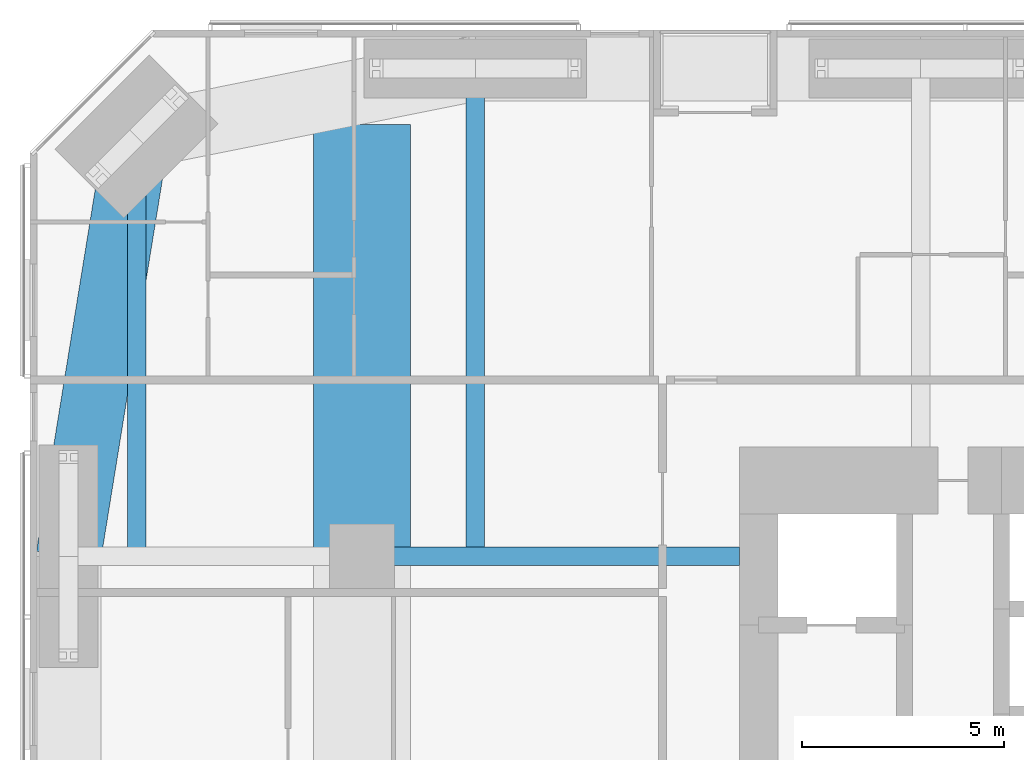
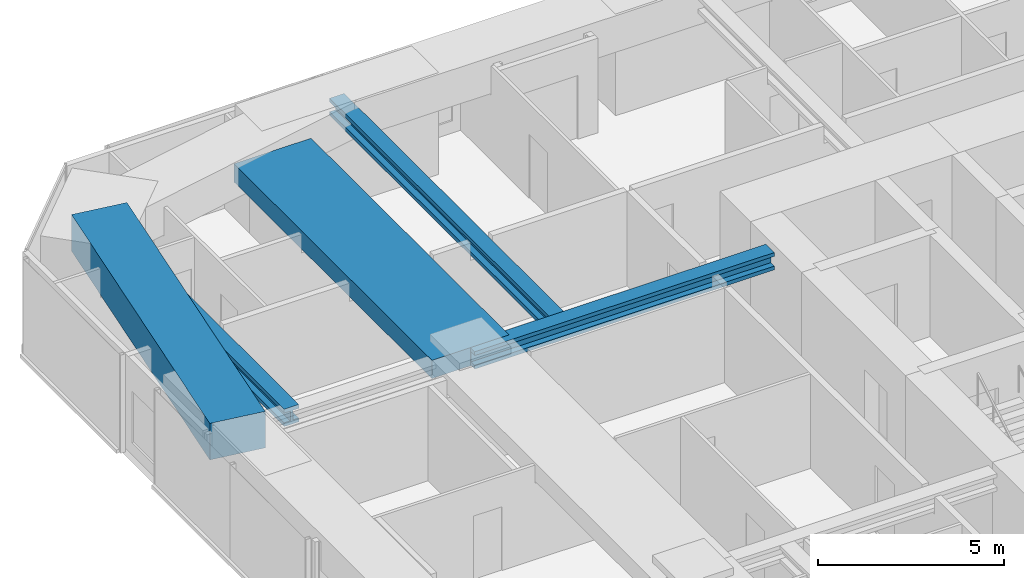
# One storey, part 8 of 24: 5 beams.
"""IFC4 building model written with IfcOpenShell, lengths in metres."""

from ifc_helpers import new_model, si_unit, direction, frame, origin, origin_2d, place, context, subcontext, project, spatial, rectangle, i_section, extrude, material, material_profile, profile_set, type_object, element, save


model = new_model("IFC4")

# Units and contexts
model_context = context("Model", 3, precision=1e-05, world=origin(), true_north=direction((0.0, 1.0)))
body_context = subcontext(model_context, "Body", "Model", "MODEL_VIEW")
ifc_project = project(units=[si_unit("LENGTHUNIT", "METRE"), si_unit("AREAUNIT", "SQUARE_METRE"), si_unit("VOLUMEUNIT", "CUBIC_METRE"), si_unit("PLANEANGLEUNIT", "RADIAN"), si_unit("MASSUNIT", "GRAM", prefix="KILO")], contexts=[model_context])

# Site, building, storey
site_placement = place(None, origin())
site = spatial("IfcSite", under=ifc_project, at=site_placement, CompositionType="ELEMENT")
building_placement = place(site_placement, origin())
building = spatial("IfcBuilding", under=site, at=building_placement, Name="Jalousie Tower", CompositionType="ELEMENT")
storey_placement = place(building_placement, frame((0.0, 0.0, 61.199951171875)))
storey = spatial("IfcBuildingStorey", under=building, at=storey_placement, Name="L16", CompositionType="ELEMENT", Elevation=61.199951171875)

# Beams
ifc_material_1 = material(Name="Steel ASTM A992 Grade 50", Category="steel")
ifc_material_profile_1 = material_profile(ifc_material_1, i_section(OverallWidth=0.45458984375, OverallDepth=0.569091796875, WebThickness=0.077880859375, FlangeThickness=0.124755859375, at=origin_2d()), Name="W14X730")
ifc_profile_set_1 = profile_set([ifc_material_profile_1], Name="Steel ASTM A992 Grade 50")
beam_type_1 = type_object("IfcBeamType", Name="LEAN COLLECTOR W14X730", PredefinedType="BEAM", material=ifc_profile_set_1)
beam_1_placement = place(storey_placement, frame((10.199951171875, 25.0, 2.825439453125), z_axis=(1.0, 0.0, 0.0), x_axis=(0.0, 1.0, 0.0)))
element("IfcBeam", 1, at=beam_1_placement, inside=storey, type_object=beam_type_1, Name="Lean collector under L17", PredefinedType="BEAM", context=body_context, shape_type="SweptSolid", body=[
    extrude(i_section(OverallWidth=0.45458984375, OverallDepth=0.569091796875, WebThickness=0.077880859375, FlangeThickness=0.124755859375, at=origin_2d()), origin(), (0.0, 0.0, 1.0), 9.324951171875),
])
beam_2_placement = place(storey_placement, frame((4.63134765625, 35.36865234375, 2.825439453125), z_axis=(0.0, -1.0, 0.0), x_axis=(1.0, 0.0, 0.0)))
element("IfcBeam", 2, at=beam_2_placement, inside=storey, type_object=beam_type_1, Name="Lean collector under L17", PredefinedType="BEAM", context=body_context, shape_type="SweptSolid", body=[
    extrude(i_section(OverallWidth=0.45458984375, OverallDepth=0.569091796875, WebThickness=0.077880859375, FlangeThickness=0.124755859375, at=origin_2d()), origin(), (0.0, 0.0, 1.0), 10.36865234375),
])
beam_3_placement = place(storey_placement, frame((13.0, 37.050048828125, 2.825439453125), z_axis=(0.0, -1.0, 0.0), x_axis=(1.0, 0.0, 0.0)))
element("IfcBeam", 3, at=beam_3_placement, inside=storey, type_object=beam_type_1, Name="Lean collector under L17", PredefinedType="BEAM", context=body_context, shape_type="SweptSolid", body=[
    extrude(i_section(OverallWidth=0.45458984375, OverallDepth=0.569091796875, WebThickness=0.077880859375, FlangeThickness=0.124755859375, at=origin_2d()), origin(), (0.0, 0.0, 1.0), 12.050048828125),
])
ifc_material_2 = material(Name="Concrete f'c 40 MPa", Category="concrete")
ifc_material_profile_2 = material_profile(ifc_material_2, rectangle(XDim=1.60009765625, YDim=1.199951171875, at=origin_2d()), Name="RC 1600x1200")
ifc_profile_set_2 = profile_set([ifc_material_profile_2], Name="Concrete f'c 40 MPa")
beam_type_2 = type_object("IfcBeamType", Name="RC BEAM 1600x1200", PredefinedType="BEAM", material=ifc_profile_set_2)
beam_4_placement = place(storey_placement, frame((4.63134765625, 35.36865234375, 2.75), z_axis=(-0.160070546476, -0.987105577003, 0.0), x_axis=(0.987105577003, -0.160070546476, 0.0)))
element("IfcBeam", 4, at=beam_4_placement, inside=storey, type_object=beam_type_2, Name="Edge band beam 12-13 under L17", PredefinedType="BEAM", context=body_context, shape_type="SweptSolid", body=[
    extrude(rectangle(XDim=1.60009765625, YDim=1.199951171875, at=origin_2d()), origin(), (0.0, 0.0, 1.0), 10.504150390625),
])
ifc_material_3 = material(Name="Concrete f'c 40 MPa", Category="concrete")
ifc_material_profile_3 = material_profile(ifc_material_3, rectangle(XDim=2.39990234375, YDim=0.60009765625, at=origin_2d()), Name="RC 2400x600")
ifc_profile_set_3 = profile_set([ifc_material_profile_3], Name="Concrete f'c 40 MPa")
beam_type_3 = type_object("IfcBeamType", Name="RC BEAM 2400x600", PredefinedType="BEAM", material=ifc_profile_set_3)
beam_5_placement = place(storey_placement, frame((10.199951171875, 25.0, 2.81005859375), z_axis=(0.0, 1.0, 0.0), x_axis=(-1.0, 0.0, 0.0)))
element("IfcBeam", 5, at=beam_5_placement, inside=storey, type_object=beam_type_3, Name="Floor band beam under L17", PredefinedType="BEAM", context=body_context, shape_type="SweptSolid", body=[
    extrude(rectangle(XDim=2.39990234375, YDim=0.60009765625, at=origin_2d()), origin(), (0.0, 0.0, 1.0), 10.67138671875),
])

save(model, "model.ifc")
